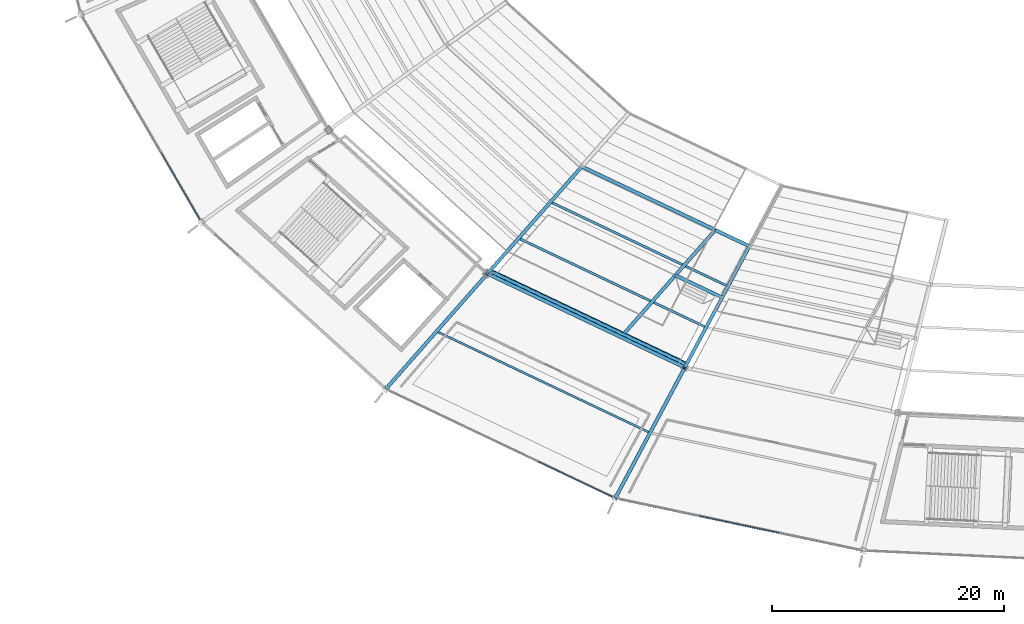
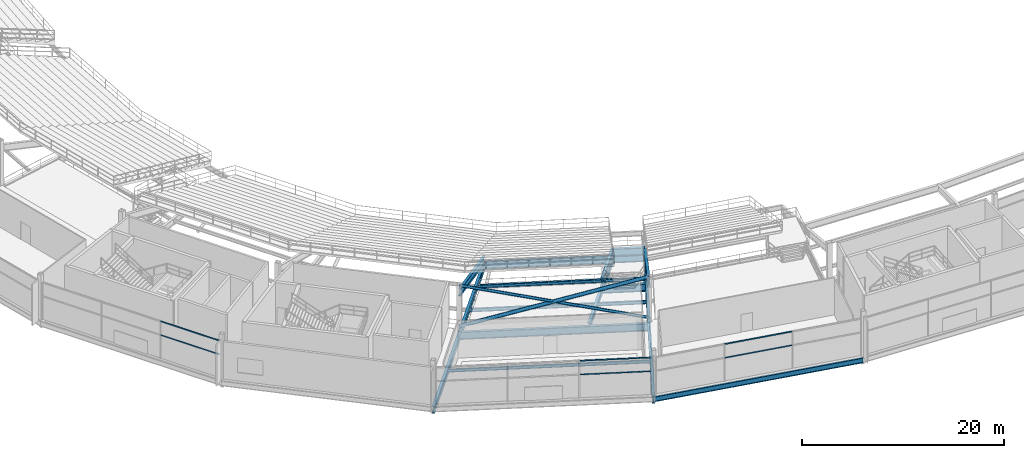
# One storey, part 18 of 186: 16 beams, 8 members, 3 elements without a shape of their own.
"""IFC4 building model written with IfcOpenShell, lengths in metres."""

from ifc_helpers import new_model, si_unit, direction, frame, origin, origin_2d, place, context, subcontext, project, spatial, hollow_rectangle, hollow_circle, i_section, extrude, material, layer, layer_set, material_profile, profile_set, type_object, element, aggregate, save


model = new_model("IFC4")

# Units and contexts
model_context = context("Model", 3, precision=1e-05, world=origin(), true_north=direction((0.0, 1.0)))
body_context = subcontext(model_context, "Body", "Model", "MODEL_VIEW")
ifc_project = project(units=[si_unit("LENGTHUNIT", "METRE"), si_unit("AREAUNIT", "SQUARE_METRE"), si_unit("VOLUMEUNIT", "CUBIC_METRE"), si_unit("PLANEANGLEUNIT", "RADIAN"), si_unit("MASSUNIT", "GRAM", prefix="KILO")], contexts=[model_context])

# Site, building, storey
site_placement = place(None, origin())
site = spatial("IfcSite", under=ifc_project, at=site_placement, CompositionType="ELEMENT")
building_placement = place(site_placement, origin())
building = spatial("IfcBuilding", under=site, at=building_placement, Name="Kazemori Nagisa Stadium", CompositionType="ELEMENT")
storey_placement = place(building_placement, frame((0.0, 0.0, 20.39990234375)))
storey = spatial("IfcBuildingStorey", under=building, at=storey_placement, Name="L04", CompositionType="ELEMENT", Elevation=20.39990234375)

# Beams
ifc_material_1 = material(Name="Steel SN490B", Category="steel")
ifc_material_profile_1 = material_profile(ifc_material_1, i_section(OverallWidth=0.300048828125, OverallDepth=0.800048828125, WebThickness=0.013916015625, FlangeThickness=0.02587890625, FilletRadius=0.01806640625, at=origin_2d()), Name="H-800x300x14x26")
ifc_profile_set_1 = profile_set([ifc_material_profile_1], Name="Steel SN490B")
beam_type_1 = type_object("IfcBeamType", Name="Beam_BG-H800", PredefinedType="BEAM", material=ifc_profile_set_1)
beam_1_placement = place(storey_placement, frame((77.303466796875, 50.126953125, -0.699951171875), z_axis=(0.903211989129, -0.429194714196, 0.0), x_axis=(0.429194714196, 0.903211989129, 0.0)))
element("IfcBeam", 1, at=beam_1_placement, inside=storey, type_object=beam_type_1, Name="Ring girder BG-H800 L04 R1-19", PredefinedType="BEAM", context=body_context, shape_type="SweptSolid", body=[
    extrude(i_section(OverallWidth=0.300048828125, OverallDepth=0.800048828125, WebThickness=0.013916015625, FlangeThickness=0.02587890625, FilletRadius=0.01806640625, at=origin_2d()), origin(), (0.0, 0.0, 1.0), 15.997314453125),
])
beam_2_placement = place(storey_placement, frame((77.303466796875, 50.126953125, -0.699951171875), z_axis=(-0.66101406015, -0.75037351518, 0.0), x_axis=(0.75037351518, -0.66101406015, 0.0)))
element("IfcBeam", 2, at=beam_2_placement, inside=storey, type_object=beam_type_1, Name="Radial girder BG-H800 L04 R1-R2-19", PredefinedType="BEAM", context=body_context, shape_type="SweptSolid", body=[
    extrude(i_section(OverallWidth=0.300048828125, OverallDepth=0.800048828125, WebThickness=0.013916015625, FlangeThickness=0.02587890625, FilletRadius=0.01806640625, at=origin_2d()), origin(), (0.0, 0.0, 1.0), 12.31103515625),
])
beam_3_placement = place(storey_placement, frame((91.75244140625, 43.260986328125, -0.699951171875), z_axis=(-0.469646804203, -0.882854393036, 0.0), x_axis=(0.882854393036, -0.469646804203, 0.0)))
element("IfcBeam", 3, at=beam_3_placement, inside=storey, type_object=beam_type_1, Name="Radial girder BG-H800 L04 R1-R2-20", PredefinedType="BEAM", context=body_context, shape_type="SweptSolid", body=[
    extrude(i_section(OverallWidth=0.300048828125, OverallDepth=0.800048828125, WebThickness=0.013916015625, FlangeThickness=0.02587890625, FilletRadius=0.01806640625, at=origin_2d()), origin(), (0.0, 0.0, 1.0), 11.84814453125),
])
beam_4_placement = place(storey_placement, frame((69.165771484375, 40.88916015625, -0.699951171875), z_axis=(-0.661019680997, -0.750368563664, 0.0), x_axis=(0.750368563664, -0.661019680997, 0.0)))
element("IfcBeam", 4, at=beam_4_placement, inside=storey, type_object=beam_type_1, Name="Radial girder BG-H800 L04 R2-R3-19", PredefinedType="BEAM", context=body_context, shape_type="SweptSolid", body=[
    extrude(i_section(OverallWidth=0.300048828125, OverallDepth=0.800048828125, WebThickness=0.013916015625, FlangeThickness=0.02587890625, FilletRadius=0.01806640625, at=origin_2d()), origin(), (0.0, 0.0, 1.0), 13.2578125),
])
beam_5_placement = place(storey_placement, frame((86.18798828125, 32.80078125, -0.699951171875), z_axis=(-0.469648511848, -0.882853484628, 0.0), x_axis=(0.882853484628, -0.469648511848, 0.0)))
element("IfcBeam", 5, at=beam_5_placement, inside=storey, type_object=beam_type_1, Name="Radial girder BG-H800 L04 R2-R3-20", PredefinedType="BEAM", context=body_context, shape_type="SweptSolid", body=[
    extrude(i_section(OverallWidth=0.300048828125, OverallDepth=0.800048828125, WebThickness=0.013916015625, FlangeThickness=0.02587890625, FilletRadius=0.01806640625, at=origin_2d()), origin(), (0.0, 0.0, 1.0), 12.760009765625),
])
beam_6_placement = place(storey_placement, frame((88.817138671875, 44.656005859375, -0.699951171875), z_axis=(-0.661021703675, -0.750366781828, 0.0), x_axis=(0.750366781828, -0.661021703675, 0.0)))
element("IfcBeam", 6, at=beam_6_placement, inside=storey, type_object=beam_type_1, Name="Upper vomitory radial carrier girder B19", PredefinedType="BEAM", context=body_context, shape_type="SweptSolid", body=[
    extrude(i_section(OverallWidth=0.300048828125, OverallDepth=0.800048828125, WebThickness=0.013916015625, FlangeThickness=0.02587890625, FilletRadius=0.01806640625, at=origin_2d()), origin(), (0.0, 0.0, 1.0), 11.848388671875),
])
ifc_material_profile_2 = material_profile(ifc_material_1, i_section(OverallWidth=0.300048828125, OverallDepth=0.89990234375, WebThickness=0.01611328125, FlangeThickness=0.028076171875, FilletRadius=0.01806640625, at=origin_2d()), Name="H-900x300x16x28")
ifc_profile_set_2 = profile_set([ifc_material_profile_2], Name="Steel SN490B")
beam_type_2 = type_object("IfcBeamType", Name="Beam_BG-H900", PredefinedType="BEAM", material=ifc_profile_set_2)
beam_7_placement = place(storey_placement, frame((69.165771484375, 40.88916015625, -0.75), z_axis=(0.90321938295, -0.42917915404, 0.0), x_axis=(0.42917915404, 0.90321938295, 0.0)))
element("IfcBeam", 7, at=beam_7_placement, inside=storey, type_object=beam_type_2, Name="Ring girder BG-H900 L04 R2-19", PredefinedType="BEAM", context=body_context, shape_type="SweptSolid", body=[
    extrude(i_section(OverallWidth=0.300048828125, OverallDepth=0.89990234375, WebThickness=0.01611328125, FlangeThickness=0.028076171875, FilletRadius=0.01806640625, at=origin_2d()), origin(), (0.0, 0.0, 1.0), 18.84619140625),
])
ifc_material_profile_3 = material_profile(ifc_material_1, i_section(OverallWidth=0.300048828125, OverallDepth=0.89990234375, WebThickness=0.01806640625, FlangeThickness=0.031982421875, FilletRadius=0.01806640625, at=origin_2d()), Name="H-900x300x18x32")
ifc_profile_set_3 = profile_set([ifc_material_profile_3], Name="Steel SN490B")
beam_type_3 = type_object("IfcBeamType", Name="Beam_BG-TR900", PredefinedType="BEAM", material=ifc_profile_set_3)
beam_8_placement = place(storey_placement, frame((88.817138671875, 44.656005859375, 0.150146484375), z_axis=(-0.661023002434, -0.750365637708, 0.0), x_axis=(0.750365637708, -0.661023002434, 0.0)))
element("IfcBeam", 8, at=beam_8_placement, inside=storey, type_object=beam_type_3, Name="Upper vomitory left transfer girder B19", PredefinedType="BEAM", context=body_context, shape_type="SweptSolid", body=[
    extrude(i_section(OverallWidth=0.300048828125, OverallDepth=0.89990234375, WebThickness=0.01806640625, FlangeThickness=0.031982421875, FilletRadius=0.01806640625, at=origin_2d()), origin(), (0.0, 0.0, 1.0), 5.20849609375),
])
beam_9_placement = place(storey_placement, frame((85.374267578125, 40.747802734375, -0.75), z_axis=(0.903191473829, -0.429237884632, 0.0), x_axis=(0.429237884632, 0.903191473829, 0.0)))
element("IfcBeam", 9, at=beam_9_placement, inside=storey, type_object=beam_type_3, Name="Upper vomitory portal header girder B19", PredefinedType="BEAM", context=body_context, shape_type="SweptSolid", body=[
    extrude(i_section(OverallWidth=0.300048828125, OverallDepth=0.89990234375, WebThickness=0.01806640625, FlangeThickness=0.031982421875, FilletRadius=0.01806640625, at=origin_2d()), origin(), (0.0, 0.0, 1.0), 4.455322265625),
])
beam_10_placement = place(storey_placement, frame((88.817138671875, 44.656005859375, 0.150146484375), z_axis=(0.903187959262, -0.429245279816, 0.0), x_axis=(0.429245279816, 0.903187959262, 0.0)))
element("IfcBeam", 10, at=beam_10_placement, inside=storey, type_object=beam_type_3, Name="Upper vomitory inner sill girder B19", PredefinedType="BEAM", context=body_context, shape_type="SweptSolid", body=[
    extrude(i_section(OverallWidth=0.300048828125, OverallDepth=0.89990234375, WebThickness=0.01806640625, FlangeThickness=0.031982421875, FilletRadius=0.01806640625, at=origin_2d()), origin(), (0.0, 0.0, 1.0), 3.25),
])
ifc_material_profile_4 = material_profile(ifc_material_1, i_section(OverallWidth=0.175048828125, OverallDepth=0.35009765625, WebThickness=0.007080078125, FlangeThickness=0.010986328125, FilletRadius=0.012939453125, at=origin_2d()), Name="H-350x175x7x11")
ifc_profile_set_4 = profile_set([ifc_material_profile_4], Name="Steel SN490B")
beam_type_4 = type_object("IfcBeamType", Name="Beam_BJ-H350", PredefinedType="JOIST", material=ifc_profile_set_4)
beam_11_placement = place(storey_placement, frame((64.914794921875, 35.85302734375, -0.474853515625), z_axis=(0.90321332486, -0.429191903228, 0.0), x_axis=(0.429191903228, 0.90321332486, 0.0)))
element("IfcBeam", 11, at=beam_11_placement, inside=storey, type_object=beam_type_4, Name="Outer bay joist BJ-H350 L04 B19", PredefinedType="JOIST", context=body_context, shape_type="SweptSolid", body=[
    extrude(i_section(OverallWidth=0.175048828125, OverallDepth=0.35009765625, WebThickness=0.007080078125, FlangeThickness=0.010986328125, FilletRadius=0.012939453125, at=origin_2d()), origin(), (0.0, 0.0, 1.0), 20.09033203125),
])
ifc_material_profile_5 = material_profile(ifc_material_1, i_section(OverallWidth=0.199951171875, OverallDepth=0.39990234375, WebThickness=0.008056640625, FlangeThickness=0.012939453125, FilletRadius=0.012939453125, at=origin_2d()), Name="H-400x200x8x13")
ifc_profile_set_5 = profile_set([ifc_material_profile_5], Name="Steel SN490B")
beam_type_5 = type_object("IfcBeamType", Name="Beam_BJ-H400", PredefinedType="JOIST", material=ifc_profile_set_5)
beam_12_placement = place(storey_placement, frame((74.74267578125, 47.00927734375, -0.5), z_axis=(0.903212567419, -0.429193497221, 0.0), x_axis=(0.429193497221, 0.903212567419, 0.0)))
element("IfcBeam", 12, at=beam_12_placement, inside=storey, type_object=beam_type_5, Name="Concourse joist BJ-H400 L04 B19-1", PredefinedType="JOIST", context=body_context, shape_type="SweptSolid", body=[
    extrude(i_section(OverallWidth=0.199951171875, OverallDepth=0.39990234375, WebThickness=0.008056640625, FlangeThickness=0.012939453125, FilletRadius=0.012939453125, at=origin_2d()), origin(), (0.0, 0.0, 1.0), 16.64990234375),
])
beam_13_placement = place(storey_placement, frame((71.988525390625, 43.882568359375, -0.5), z_axis=(0.90321531537, -0.429187714272, 0.0), x_axis=(0.429187714272, 0.90321531537, 0.0)))
element("IfcBeam", 13, at=beam_13_placement, inside=storey, type_object=beam_type_5, Name="Concourse joist BJ-H400 L04 B19-2", PredefinedType="JOIST", context=body_context, shape_type="SweptSolid", body=[
    extrude(i_section(OverallWidth=0.199951171875, OverallDepth=0.39990234375, WebThickness=0.008056640625, FlangeThickness=0.012939453125, FilletRadius=0.012939453125, at=origin_2d()), origin(), (0.0, 0.0, 1.0), 17.61376953125),
])
ifc_material_profile_6 = material_profile(ifc_material_1, i_section(OverallWidth=0.199951171875, OverallDepth=0.60009765625, WebThickness=0.010986328125, FlangeThickness=0.01708984375, FilletRadius=0.012939453125, at=origin_2d()), Name="H-600x200x11x17")
ifc_profile_set_6 = profile_set([ifc_material_profile_6], Name="Steel SN490B")
beam_type_6 = type_object("IfcBeamType", Name="Beam_BS-H600", PredefinedType="SPANDREL", material=ifc_profile_set_6)
beam_14_placement = place(storey_placement, frame((80.1953125, 21.53564453125, -0.599853515625), z_axis=(0.97834587432, -0.206976689994, 0.0), x_axis=(0.206976689994, 0.97834587432, 0.0)))
element("IfcBeam", 14, at=beam_14_placement, inside=storey, type_object=beam_type_6, Name="Ring girder BS-H600 L04 R3-20", PredefinedType="SPANDREL", context=body_context, shape_type="SweptSolid", body=[
    extrude(i_section(OverallWidth=0.199951171875, OverallDepth=0.60009765625, WebThickness=0.010986328125, FlangeThickness=0.01708984375, FilletRadius=0.012939453125, at=origin_2d()), origin(), (0.0, 0.0, 1.0), 21.85009765625),
])
ifc_material_profile_7 = material_profile(ifc_material_1, i_section(OverallWidth=0.300048828125, OverallDepth=0.800048828125, WebThickness=0.013916015625, FlangeThickness=0.02587890625, FilletRadius=0.01806640625, at=origin_2d()), Name="H-800x300x14x26")
ifc_profile_set_7 = profile_set([ifc_material_profile_7], Name="Steel SN490B")
beam_type_7 = type_object("IfcBeamType", Name="Beam_RK-ST800", PredefinedType="USERDEFINED", material=ifc_profile_set_7)
beam_15_placement = place(storey_placement, frame((77.303466796875, 50.126953125, 0.02001953125), z_axis=(-0.621968103391, -0.706049114848, 0.338600540146), x_axis=(0.75037351518, -0.66101406015, 0.0)))
element("IfcBeam", 15, at=beam_15_placement, inside=storey, type_object=beam_type_7, Name="Raker beam upper backspan RK3-19B", ObjectType="RAKER BEAM", PredefinedType="USERDEFINED", context=body_context, shape_type="SweptSolid", body=[
    extrude(i_section(OverallWidth=0.300048828125, OverallDepth=0.800048828125, WebThickness=0.013916015625, FlangeThickness=0.02587890625, FilletRadius=0.01806640625, at=origin_2d()), origin(), (0.0, 0.0, 1.0), 13.083740234375),
])
beam_16_placement = place(storey_placement, frame((91.75244140625, 43.260986328125, 0.02001953125), z_axis=(-0.439901103291, -0.826937643493, 0.350230143046), x_axis=(0.882854393036, -0.469646804203, 0.0)))
element("IfcBeam", 16, at=beam_16_placement, inside=storey, type_object=beam_type_7, Name="Raker beam upper backspan RK3-20B", ObjectType="RAKER BEAM", PredefinedType="USERDEFINED", context=body_context, shape_type="SweptSolid", body=[
    extrude(i_section(OverallWidth=0.300048828125, OverallDepth=0.800048828125, WebThickness=0.013916015625, FlangeThickness=0.02587890625, FilletRadius=0.01806640625, at=origin_2d()), origin(), (0.0, 0.0, 1.0), 12.6494140625),
])

# Members
ifc_material_2 = material(Name="Steel STK490", Category="steel")
ifc_material_profile_8 = material_profile(ifc_material_2, hollow_circle(Radius=0.1591796875, WallThickness=0.01025390625, at=origin_2d()), Name="CHS-318.5x10.3")
ifc_profile_set_8 = profile_set([ifc_material_profile_8], Name="Steel STK490")
member_type_1 = type_object("IfcMemberType", Name="Member_TB-CHS318", PredefinedType="BRACE", material=ifc_profile_set_8)
member_1_placement = place(storey_placement, frame((86.316650390625, 33.07177734375, 0.150146484375), z_axis=(-0.873703393319, 0.415154158895, 0.253553554213), x_axis=(-0.42917915404, -0.90321938295, 0.0)))
element("IfcMember", 17, at=member_1_placement, inside=storey, type_object=member_type_1, Name="Seismic brace TB-CHS318 L04 B19-B", PredefinedType="BRACE", context=body_context, shape_type="SweptSolid", body=[
    extrude(hollow_circle(Radius=0.1591796875, WallThickness=0.01025390625, at=origin_2d()), origin(), (0.0, 0.0, 1.0), 19.48291015625),
])
ifc_material_profile_9 = material_profile(ifc_material_2, hollow_circle(Radius=0.203125, WallThickness=0.014404296875, at=origin_2d()), Name="CHS-406.4x14.3")
ifc_profile_set_9 = profile_set([ifc_material_profile_9], Name="Steel STK490")
member_type_2 = type_object("IfcMemberType", Name="Member_TB-CHS406", PredefinedType="BRACE", material=ifc_profile_set_9)
member_2_placement = place(storey_placement, frame((69.29443359375, 41.16015625, 0.150146484375), z_axis=(0.873703393319, -0.415154158895, 0.253553554213), x_axis=(0.42917915404, 0.90321938295, 0.0)))
element("IfcMember", 18, at=member_2_placement, inside=storey, type_object=member_type_2, Name="Seismic brace TB-CHS355 L04 B19-A", PredefinedType="BRACE", context=body_context, shape_type="SweptSolid", body=[
    extrude(hollow_circle(Radius=0.203125, WallThickness=0.014404296875, at=origin_2d()), origin(), (0.0, 0.0, 1.0), 19.48291015625),
])

# Curtain wall, members
ifc_material_3 = material(Name="Anodised aluminium 6063-T5", Category="aluminium")
ifc_layer_1 = layer(ifc_material_3, 0.179931640625, Name="Anodised aluminium 6063-T5", Category="aluminium")
ifc_layer_set_1 = layer_set([ifc_layer_1], Name="Anodised aluminium 6063-T5")
curtain_wall_type_1 = type_object("IfcCurtainWallType", Name="CW_L04R3_101", PredefinedType="USERDEFINED", material=ifc_layer_set_1)
curtain_wall_1_placement = place(storey_placement, origin())
curtain_wall_1 = element("IfcCurtainWall", 19, at=curtain_wall_1_placement, inside=storey, type_object=curtain_wall_type_1, Name="Unitised curtain wall CW-L04R3-101 L04", ObjectType="UNITISED CURTAIN WALL", PredefinedType="USERDEFINED")
ifc_material_4 = material(Name="Aluminium 6063-T5 anodised", Category="aluminium")
ifc_material_profile_10 = material_profile(ifc_material_4, hollow_rectangle(XDim=0.070068359375, YDim=0.139892578125, WallThickness=0.00390625, at=origin_2d()), Name="ALU-TRAN-70x140x4")
ifc_profile_set_10 = profile_set([ifc_material_profile_10], Name="Aluminium 6063-T5 anodised")
member_type_3 = type_object("IfcMemberType", Name="Transom_T01", PredefinedType="USERDEFINED", material=ifc_profile_set_10)
member_3_placement = place(storey_placement, frame((41.0087890625, 51.361328125, 2.80859375), z_axis=(0.50161984125, -0.865088165948, 0.0), x_axis=(0.865088165948, 0.50161984125, 0.0)))
member_3 = element("IfcMember", 20, at=member_3_placement, type_object=member_type_3, Name="Curtain wall transom CW-L04R3-101-T3-mid", ObjectType="TRANSOM", PredefinedType="USERDEFINED", context=body_context, shape_type="SweptSolid", body=[
    extrude(hollow_rectangle(XDim=0.070068359375, YDim=0.139892578125, WallThickness=0.00390625, at=origin_2d()), origin(), (0.0, 0.0, 1.0), 6.694091796875),
])
member_4_placement = place(storey_placement, frame((41.0087890625, 51.361328125, 4.460205078125), z_axis=(0.50161984125, -0.865088165948, 0.0), x_axis=(0.865088165948, 0.50161984125, 0.0)))
member_4 = element("IfcMember", 21, at=member_4_placement, type_object=member_type_3, Name="Curtain wall transom CW-L04R3-101-T3-head", ObjectType="TRANSOM", PredefinedType="USERDEFINED", context=body_context, shape_type="SweptSolid", body=[
    extrude(hollow_rectangle(XDim=0.070068359375, YDim=0.139892578125, WallThickness=0.00390625, at=origin_2d()), origin(), (0.0, 0.0, 1.0), 6.694091796875),
])
aggregate(curtain_wall_1, [member_3, member_4])

ifc_layer_2 = layer(ifc_material_3, 0.179931640625, Name="Anodised aluminium 6063-T5", Category="aluminium")
ifc_layer_set_2 = layer_set([ifc_layer_2], Name="Anodised aluminium 6063-T5")
curtain_wall_type_2 = type_object("IfcCurtainWallType", Name="CW_L04R3_107", PredefinedType="USERDEFINED", material=ifc_layer_set_2)
curtain_wall_2_placement = place(storey_placement, origin())
curtain_wall_2 = element("IfcCurtainWall", 22, at=curtain_wall_2_placement, inside=storey, type_object=curtain_wall_type_2, Name="Unitised curtain wall CW-L04R3-107 L04", ObjectType="UNITISED CURTAIN WALL", PredefinedType="USERDEFINED")
member_5_placement = place(storey_placement, frame((73.538818359375, 24.69873046875, 2.80859375), z_axis=(0.903215145866, -0.429188070989, 0.0), x_axis=(0.429188070989, 0.903215145866, 0.0)))
member_5 = element("IfcMember", 23, at=member_5_placement, type_object=member_type_3, Name="Curtain wall transom CW-L04R3-107-T3-mid", ObjectType="TRANSOM", PredefinedType="USERDEFINED", context=body_context, shape_type="SweptSolid", body=[
    extrude(hollow_rectangle(XDim=0.070068359375, YDim=0.139892578125, WallThickness=0.00390625, at=origin_2d()), origin(), (0.0, 0.0, 1.0), 7.0947265625),
])
member_6_placement = place(storey_placement, frame((73.538818359375, 24.69873046875, 4.460205078125), z_axis=(0.903215145866, -0.429188070989, 0.0), x_axis=(0.429188070989, 0.903215145866, 0.0)))
member_6 = element("IfcMember", 24, at=member_6_placement, type_object=member_type_3, Name="Curtain wall transom CW-L04R3-107-T3-head", ObjectType="TRANSOM", PredefinedType="USERDEFINED", context=body_context, shape_type="SweptSolid", body=[
    extrude(hollow_rectangle(XDim=0.070068359375, YDim=0.139892578125, WallThickness=0.00390625, at=origin_2d()), origin(), (0.0, 0.0, 1.0), 7.0947265625),
])
aggregate(curtain_wall_2, [member_5, member_6])

curtain_wall_3_placement = place(storey_placement, origin())
curtain_wall_3 = element("IfcCurtainWall", 25, at=curtain_wall_3_placement, inside=storey, type_object=curtain_wall_type_2, Name="Unitised curtain wall CW-L04R3-107 L04", ObjectType="UNITISED CURTAIN WALL", PredefinedType="USERDEFINED")
member_7_placement = place(storey_placement, frame((87.423583984375, 20.006591796875, 2.80859375), z_axis=(0.978344595915, -0.206982732721, 0.0), x_axis=(0.206982732721, 0.978344595915, 0.0)))
member_7 = element("IfcMember", 26, at=member_7_placement, type_object=member_type_3, Name="Curtain wall transom CW-L04R3-107-T2-mid", ObjectType="TRANSOM", PredefinedType="USERDEFINED", context=body_context, shape_type="SweptSolid", body=[
    extrude(hollow_rectangle(XDim=0.070068359375, YDim=0.139892578125, WallThickness=0.00390625, at=origin_2d()), origin(), (0.0, 0.0, 1.0), 7.073486328125),
])
member_8_placement = place(storey_placement, frame((87.423583984375, 20.006591796875, 4.460205078125), z_axis=(0.978344595915, -0.206982732721, 0.0), x_axis=(0.206982732721, 0.978344595915, 0.0)))
member_8 = element("IfcMember", 27, at=member_8_placement, type_object=member_type_3, Name="Curtain wall transom CW-L04R3-107-T2-head", ObjectType="TRANSOM", PredefinedType="USERDEFINED", context=body_context, shape_type="SweptSolid", body=[
    extrude(hollow_rectangle(XDim=0.070068359375, YDim=0.139892578125, WallThickness=0.00390625, at=origin_2d()), origin(), (0.0, 0.0, 1.0), 7.073486328125),
])
aggregate(curtain_wall_3, [member_7, member_8])

save(model, "model.ifc")
